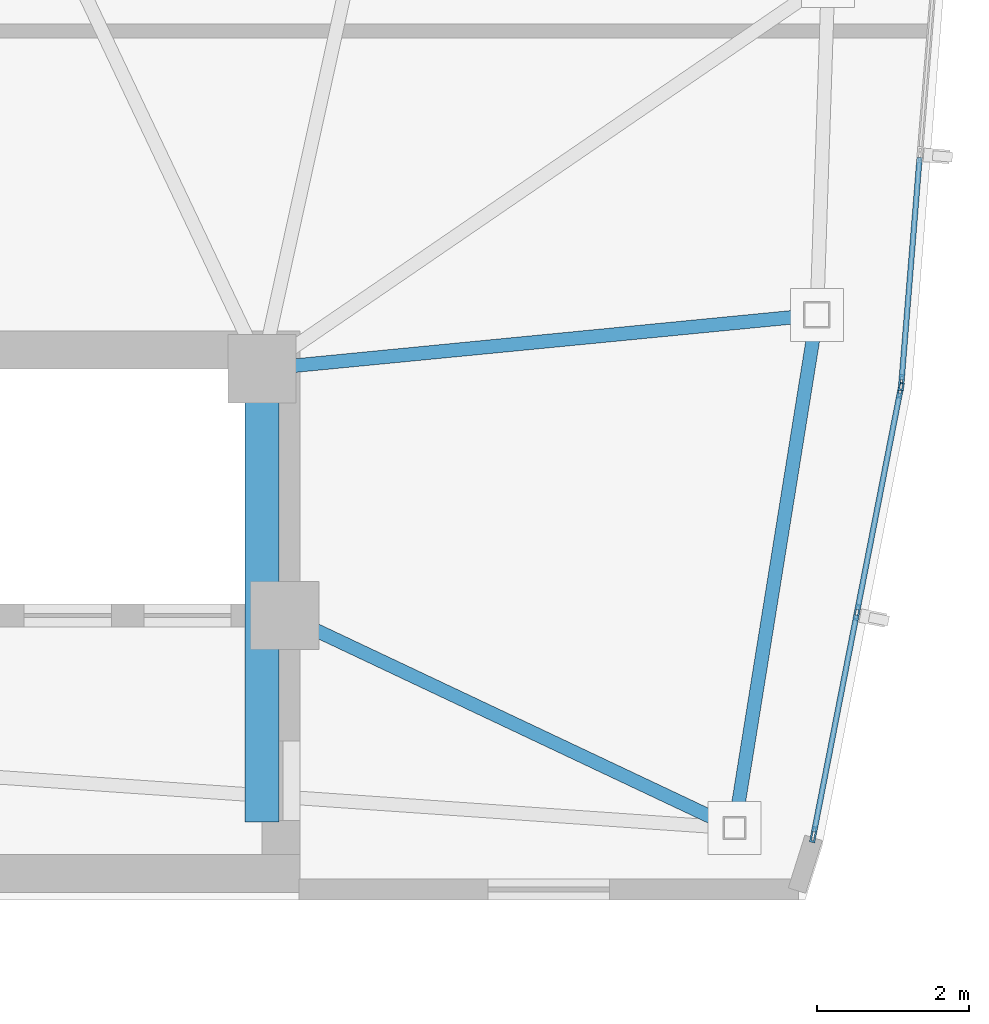
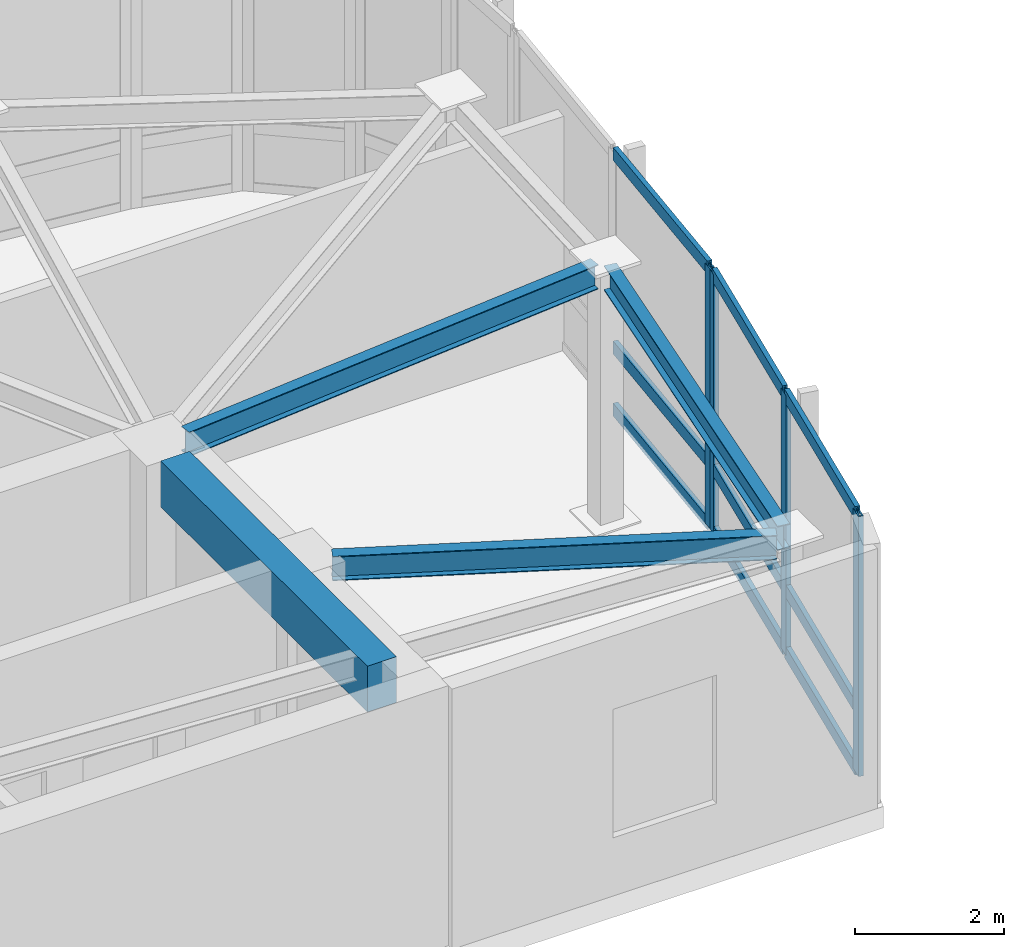
# One storey, part 5 of 15: 13 members, 4 beams, 2 elements without a shape of their own.
"""IFC4 building model written with IfcOpenShell, lengths in metres."""

from ifc_helpers import new_model, si_unit, direction, frame, origin, origin_2d, place, context, subcontext, project, spatial, rectangle, hollow_rectangle, i_section, extrude, source, transform, mapped, material, layer, layer_set, material_profile, profile_set, type_object, type_shapes, element, aggregate, save


model = new_model("IFC4")

# Units and contexts
model_context = context("Model", 3, precision=1e-05, world=origin(), true_north=direction((0.0, 1.0)))
body_context = subcontext(model_context, "Body", "Model", "MODEL_VIEW")
ifc_project = project(units=[si_unit("LENGTHUNIT", "METRE"), si_unit("AREAUNIT", "SQUARE_METRE"), si_unit("VOLUMEUNIT", "CUBIC_METRE"), si_unit("PLANEANGLEUNIT", "RADIAN"), si_unit("MASSUNIT", "GRAM", prefix="KILO")], contexts=[model_context])

# Site, building, storey
site_placement = place(None, origin())
site = spatial("IfcSite", under=ifc_project, at=site_placement, CompositionType="ELEMENT")
building_placement = place(site_placement, origin())
building = spatial("IfcBuilding", under=site, at=building_placement, Name="Tavelor Broadcast Tower", CompositionType="ELEMENT")
storey_placement = place(building_placement, frame((0.0, 0.0, 341.300048828125)))
storey = spatial("IfcBuildingStorey", under=building, at=storey_placement, Name="L81", CompositionType="ELEMENT", Elevation=341.300048828125)

# Beams
ifc_material_1 = material(Name="Concrete C40/50", Category="concrete")
ifc_material_profile_1 = material_profile(ifc_material_1, rectangle(XDim=0.449951171875, YDim=0.75, at=origin_2d()), Name="RC 450x750")
ifc_profile_set_1 = profile_set([ifc_material_profile_1], Name="Concrete C40/50")
beam_type_1 = type_object("IfcBeamType", Name="Basement Core Trim Beam 450x750", PredefinedType="BEAM", material=ifc_profile_set_1)
beam_1_placement = place(storey_placement, frame((56.60009765625, 45.23193359375, 3.875), z_axis=(0.0, 1.0, 0.0), x_axis=(-1.0, 0.0, 0.0)))
element("IfcBeam", 1, at=beam_1_placement, inside=storey, type_object=beam_type_1, Name="L81 Core East-N Tie Girder", PredefinedType="BEAM", context=body_context, shape_type="SweptSolid", body=[
    extrude(rectangle(XDim=0.449951171875, YDim=0.75, at=origin_2d()), origin(), (0.0, 0.0, 1.0), 5.5361328125),
])
ifc_material_2 = material(Name="Steel S355", Category="steel")
ifc_material_profile_2 = material_profile(ifc_material_2, i_section(OverallWidth=0.179931640625, OverallDepth=0.39990234375, WebThickness=0.008544921875, FlangeThickness=0.013427734375, at=origin_2d()), Name="IPE 400")
ifc_profile_set_2 = profile_set([ifc_material_profile_2], Name="Steel S355")
beam_type_2 = type_object("IfcBeamType", Name="Crown Ring Spandrel Beam IPE400", PredefinedType="SPANDREL", material=ifc_profile_set_2)
beam_2_placement = place(storey_placement, frame((62.8505859375, 45.301025390625, 4.050048828125), z_axis=(0.158423056648, 0.987371325856, 0.0), x_axis=(-0.987371325856, 0.158423056648, 0.0)))
element("IfcBeam", 2, at=beam_2_placement, inside=storey, type_object=beam_type_2, Name="L81 Crown Peak A Ring Spandrel 4", PredefinedType="SPANDREL", context=body_context, shape_type="SweptSolid", body=[
    extrude(i_section(OverallWidth=0.179931640625, OverallDepth=0.39990234375, WebThickness=0.008544921875, FlangeThickness=0.013427734375, at=origin_2d()), origin(), (0.0, 0.0, 1.0), 6.515625),
])
beam_3_placement = place(storey_placement, frame((57.29052734375, 47.765380859375, 4.050048828125), z_axis=(0.904175381404, -0.427161421085, 0.0), x_axis=(0.427161421085, 0.904175381404, 0.0)))
element("IfcBeam", 3, at=beam_3_placement, inside=storey, type_object=beam_type_2, Name="L81 Crown Peak A Radial Beam 4", PredefinedType="SPANDREL", context=body_context, shape_type="SweptSolid", body=[
    extrude(i_section(OverallWidth=0.179931640625, OverallDepth=0.39990234375, WebThickness=0.008544921875, FlangeThickness=0.013427734375, at=origin_2d()), origin(), (0.0, 0.0, 1.0), 5.9697265625),
])
beam_4_placement = place(storey_placement, frame((57.030029296875, 51.24169921875, 4.050048828125), z_axis=(0.995308664836, 0.096750512672, 0.0), x_axis=(-0.096750512672, 0.995308664836, 0.0)))
element("IfcBeam", 4, at=beam_4_placement, inside=storey, type_object=beam_type_2, Name="L81 Crown Peak A Radial Beam 5", PredefinedType="SPANDREL", context=body_context, shape_type="SweptSolid", body=[
    extrude(i_section(OverallWidth=0.179931640625, OverallDepth=0.39990234375, WebThickness=0.008544921875, FlangeThickness=0.013427734375, at=origin_2d()), origin(), (0.0, 0.0, 1.0), 6.73486328125),
])

# Curtain wall, members
ifc_material_3 = material(Name="Architectural Anodized Aluminium", Category="aluminium")
ifc_layer = layer(ifc_material_3, 0.2099609375)
ifc_layer_set = layer_set([ifc_layer], Name="Architectural Anodized Aluminium")
curtain_wall_type = type_object("IfcCurtainWallType", Name="Split-Crown Beacon Curtain Wall CW06", PredefinedType="NOTDEFINED", material=ifc_layer_set)
curtain_wall_1_placement = place(storey_placement, origin())
curtain_wall_1 = element("IfcCurtainWall", 5, at=curtain_wall_1_placement, inside=storey, type_object=curtain_wall_type, Name="L81 Curtain Wall CW06 Run 929", PredefinedType="NOTDEFINED")
ifc_material_profile_3 = material_profile(ifc_material_3, hollow_rectangle(XDim=0.072021484375, YDim=0.2099609375, WallThickness=0.02197265625, at=origin_2d()), Name="RHS 72x210x22")
ifc_profile_set_3 = profile_set([ifc_material_profile_3], Name="Architectural Anodized Aluminium")
member_type_1 = type_object("IfcMemberType", Name="CW06 Extruded Aluminium Mullion 72x210", PredefinedType="MULLION", material=ifc_profile_set_3)
shared_shape_1 = source(origin(), body_context, "Body", "SweptSolid", [
    extrude(hollow_rectangle(XDim=0.072021484375, YDim=0.2099609375, WallThickness=0.02197265625, at=origin_2d()), origin(), (0.0, 0.0, 1.0), 4.25),
])
type_shapes(member_type_1, [shared_shape_1])
member_1_placement = place(storey_placement, frame((63.867919921875, 45.064697265625, 0.0), z_axis=(0.0, 0.0, 1.0), x_axis=(-0.98145213517, 0.191707345635, 0.0)))
member_1 = element("IfcMember", 6, at=member_1_placement, type_object=member_type_1, Name="CW06 mullion 1", PredefinedType="MULLION", context=body_context, shape_type="MappedRepresentation", body=[
    mapped(shared_shape_1, transform((0.0, 0.0, 0.0), scale=1.0)),
])
member_2_placement = place(storey_placement, frame((64.439453125, 47.990966796875, 0.0), z_axis=(0.0, 0.0, 1.0), x_axis=(-0.98145213517, 0.191707345635, 0.0)))
member_2 = element("IfcMember", 7, at=member_2_placement, type_object=member_type_1, Name="CW06 mullion 2", PredefinedType="MULLION", context=body_context, shape_type="MappedRepresentation", body=[
    mapped(shared_shape_1, transform((0.0, 0.0, 0.0), scale=1.0)),
])
member_3_placement = place(storey_placement, frame((65.010986328125, 50.91748046875, 0.0), z_axis=(0.0, 0.0, 1.0), x_axis=(-0.98145213517, 0.191707345635, 0.0)))
member_3 = element("IfcMember", 8, at=member_3_placement, type_object=member_type_1, Name="CW06 mullion 3", PredefinedType="MULLION", context=body_context, shape_type="MappedRepresentation", body=[
    mapped(shared_shape_1, transform((0.0, 0.0, 0.0), scale=1.0)),
])

# Curtain wall, member
curtain_wall_2_placement = place(storey_placement, origin())
curtain_wall_2 = element("IfcCurtainWall", 9, at=curtain_wall_2_placement, inside=storey, type_object=curtain_wall_type, Name="L81 Curtain Wall CW06 Run 930", PredefinedType="NOTDEFINED")
member_4_placement = place(storey_placement, frame((65.02490234375, 51.018310546875, 0.0), z_axis=(0.0, 0.0, 1.0), x_axis=(-0.996751462435, 0.080538947925, 0.0)))
member_4 = element("IfcMember", 10, at=member_4_placement, type_object=member_type_1, Name="CW06 mullion 1", PredefinedType="MULLION", context=body_context, shape_type="MappedRepresentation", body=[
    mapped(shared_shape_1, transform((0.0, 0.0, 0.0), scale=1.0)),
])

# Member
ifc_material_profile_4 = material_profile(ifc_material_3, hollow_rectangle(XDim=0.072021484375, YDim=0.2099609375, WallThickness=0.02197265625, at=origin_2d()), Name="RHS 72x210x22")
ifc_profile_set_4 = profile_set([ifc_material_profile_4], Name="Architectural Anodized Aluminium")
member_type_2 = type_object("IfcMemberType", Name="CW06 Extruded Aluminium Transom 72x210", PredefinedType="USERDEFINED", material=ifc_profile_set_4)
shared_shape_2 = source(origin(), body_context, "Body", "SweptSolid", [
    extrude(hollow_rectangle(XDim=0.072021484375, YDim=0.2099609375, WallThickness=0.02197265625, at=origin_2d()), origin(), (0.0, 0.0, 1.0), 2.90966796875),
])
member_5_placement = place(storey_placement, frame((63.874755859375, 45.10009765625, 0.035888671875), z_axis=(0.191725240775, 0.981448639537, 0.0), x_axis=(-0.981448639537, 0.191725240775, 0.0)))
member_5 = element("IfcMember", 11, at=member_5_placement, type_object=member_type_2, Name="CW06 transom 1.1", ObjectType="TRANSOM", PredefinedType="USERDEFINED", context=body_context, shape_type="MappedRepresentation", body=[
    mapped(shared_shape_2, transform((0.0, 0.0, 0.0), scale=1.0)),
])

member_6_placement = place(storey_placement, frame((63.874755859375, 45.10009765625, 1.050048828125), z_axis=(0.191725240775, 0.981448639537, 0.0), x_axis=(-0.981448639537, 0.191725240775, 0.0)))
member_6 = element("IfcMember", 12, at=member_6_placement, type_object=member_type_2, Name="CW06 transom 1.2", ObjectType="TRANSOM", PredefinedType="USERDEFINED", context=body_context, shape_type="MappedRepresentation", body=[
    mapped(shared_shape_2, transform((0.0, 0.0, 0.0), scale=1.0)),
])

member_7_placement = place(storey_placement, frame((63.874755859375, 45.10009765625, 4.2138671875), z_axis=(0.191725240775, 0.981448639537, 0.0), x_axis=(-0.981448639537, 0.191725240775, 0.0)))
member_7 = element("IfcMember", 13, at=member_7_placement, type_object=member_type_2, Name="CW06 transom 1.3", ObjectType="TRANSOM", PredefinedType="USERDEFINED", context=body_context, shape_type="MappedRepresentation", body=[
    mapped(shared_shape_2, transform((0.0, 0.0, 0.0), scale=1.0)),
])

member_8_placement = place(storey_placement, frame((64.4462890625, 48.0263671875, 0.035888671875), z_axis=(0.191725240775, 0.981448639537, 0.0), x_axis=(-0.981448639537, 0.191725240775, 0.0)))
member_8 = element("IfcMember", 14, at=member_8_placement, type_object=member_type_2, Name="CW06 transom 2.1", ObjectType="TRANSOM", PredefinedType="USERDEFINED", context=body_context, shape_type="MappedRepresentation", body=[
    mapped(shared_shape_2, transform((0.0, 0.0, 0.0), scale=1.0)),
])

member_9_placement = place(storey_placement, frame((64.4462890625, 48.0263671875, 1.050048828125), z_axis=(0.191725240775, 0.981448639537, 0.0), x_axis=(-0.981448639537, 0.191725240775, 0.0)))
member_9 = element("IfcMember", 15, at=member_9_placement, type_object=member_type_2, Name="CW06 transom 2.2", ObjectType="TRANSOM", PredefinedType="USERDEFINED", context=body_context, shape_type="MappedRepresentation", body=[
    mapped(shared_shape_2, transform((0.0, 0.0, 0.0), scale=1.0)),
])

member_10_placement = place(storey_placement, frame((64.4462890625, 48.0263671875, 4.2138671875), z_axis=(0.191725240775, 0.981448639537, 0.0), x_axis=(-0.981448639537, 0.191725240775, 0.0)))
member_10 = element("IfcMember", 16, at=member_10_placement, type_object=member_type_2, Name="CW06 transom 2.3", ObjectType="TRANSOM", PredefinedType="USERDEFINED", context=body_context, shape_type="MappedRepresentation", body=[
    mapped(shared_shape_2, transform((0.0, 0.0, 0.0), scale=1.0)),
])

aggregate(curtain_wall_1, [member_1, member_2, member_3, member_5, member_6, member_7, member_8, member_9, member_10])

shared_shape_3 = source(origin(), body_context, "Body", "SweptSolid", [
    extrude(hollow_rectangle(XDim=0.072021484375, YDim=0.2099609375, WallThickness=0.02197265625, at=origin_2d()), origin(), (0.0, 0.0, 1.0), 2.94140625),
])
type_shapes(member_type_2, [shared_shape_2, shared_shape_3])
member_11_placement = place(storey_placement, frame((65.02783203125, 51.05419921875, 0.035888671875), z_axis=(0.080510545778, 0.996753756962, 0.0), x_axis=(-0.996753756962, 0.080510545778, 0.0)))
member_11 = element("IfcMember", 17, at=member_11_placement, type_object=member_type_2, Name="CW06 transom 1.1", ObjectType="TRANSOM", PredefinedType="USERDEFINED", context=body_context, shape_type="MappedRepresentation", body=[
    mapped(shared_shape_3, transform((0.0, 0.0, 0.0), scale=1.0)),
])

member_12_placement = place(storey_placement, frame((65.02783203125, 51.05419921875, 1.050048828125), z_axis=(0.080510545778, 0.996753756962, 0.0), x_axis=(-0.996753756962, 0.080510545778, 0.0)))
member_12 = element("IfcMember", 18, at=member_12_placement, type_object=member_type_2, Name="CW06 transom 1.2", ObjectType="TRANSOM", PredefinedType="USERDEFINED", context=body_context, shape_type="MappedRepresentation", body=[
    mapped(shared_shape_3, transform((0.0, 0.0, 0.0), scale=1.0)),
])

member_13_placement = place(storey_placement, frame((65.02783203125, 51.05419921875, 4.2138671875), z_axis=(0.080510545778, 0.996753756962, 0.0), x_axis=(-0.996753756962, 0.080510545778, 0.0)))
member_13 = element("IfcMember", 19, at=member_13_placement, type_object=member_type_2, Name="CW06 transom 1.3", ObjectType="TRANSOM", PredefinedType="USERDEFINED", context=body_context, shape_type="MappedRepresentation", body=[
    mapped(shared_shape_3, transform((0.0, 0.0, 0.0), scale=1.0)),
])

aggregate(curtain_wall_2, [member_4, member_11, member_12, member_13])

save(model, "model.ifc")
